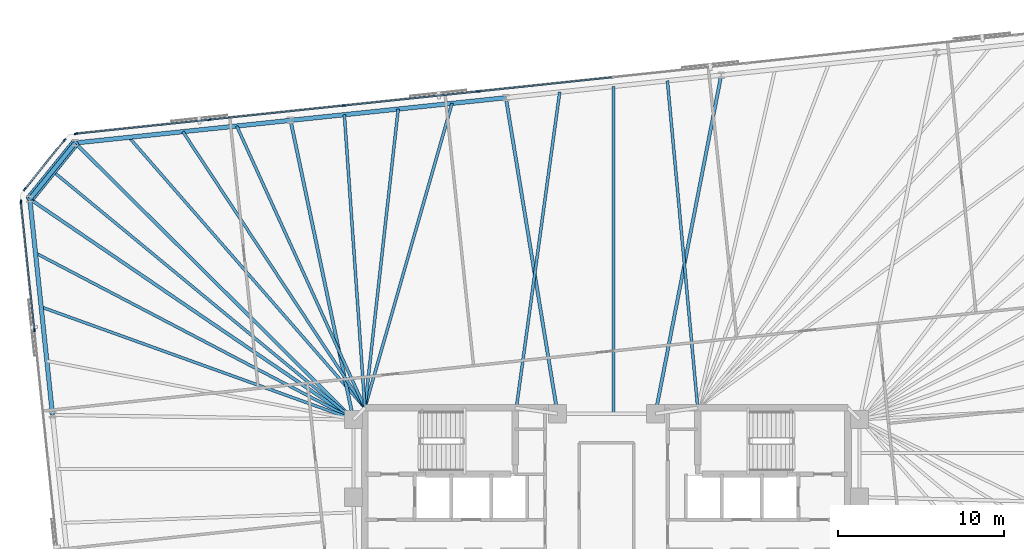
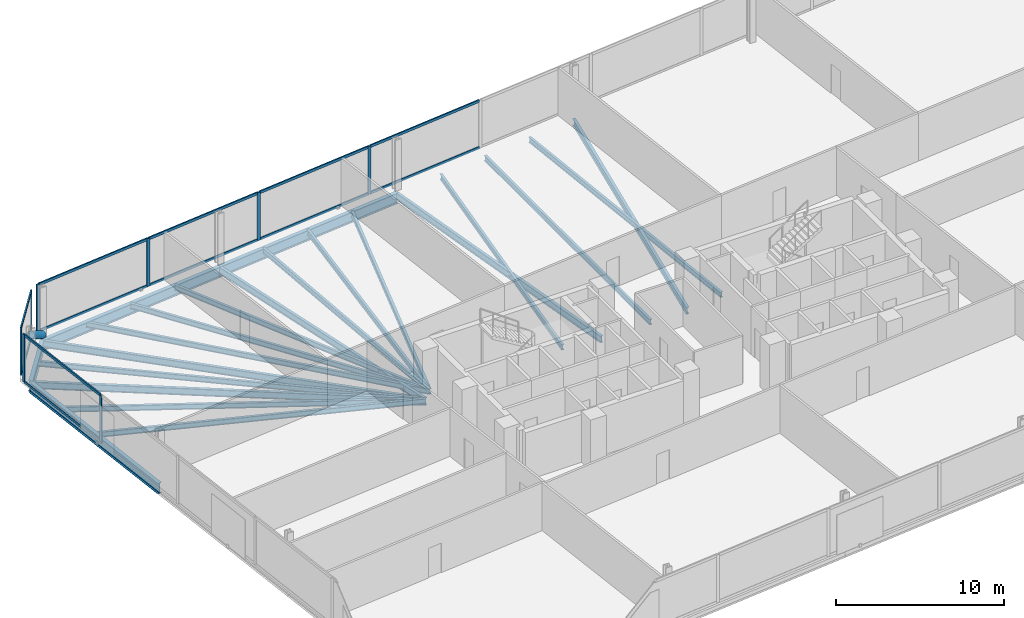
# One storey, part 9 of 18: 21 beams, 21 members, 3 elements without a shape of their own.
"""IFC4 building model written with IfcOpenShell, lengths in metres."""

from ifc_helpers import new_model, si_unit, direction, frame, origin, origin_2d, place, context, subcontext, project, spatial, rectangle, hollow_circle, i_section, extrude, material, material_profile, profile_set, type_object, element, aggregate, save


model = new_model("IFC4")

# Units and contexts
model_context = context("Model", 3, precision=1e-05, world=origin(), true_north=direction((0.0, 1.0)))
body_context = subcontext(model_context, "Body", "Model", "MODEL_VIEW")
ifc_project = project(units=[si_unit("LENGTHUNIT", "METRE"), si_unit("AREAUNIT", "SQUARE_METRE"), si_unit("VOLUMEUNIT", "CUBIC_METRE"), si_unit("PLANEANGLEUNIT", "RADIAN"), si_unit("MASSUNIT", "GRAM", prefix="KILO")], contexts=[model_context])

# Site, building, storey
site_placement = place(None, origin())
site = spatial("IfcSite", under=ifc_project, at=site_placement, CompositionType="ELEMENT")
building_placement = place(site_placement, origin())
building = spatial("IfcBuilding", under=site, at=building_placement, Name="Menara Jurai Vektor", CompositionType="ELEMENT")
storey_placement = place(building_placement, frame((0.0, 0.0, 94.800048828125)))
storey = spatial("IfcBuildingStorey", under=building, at=storey_placement, Name="L23", CompositionType="ELEMENT", Elevation=94.800048828125)

# Curtain wall, members
ifc_material_1 = material(Name="Anodised Pale Aluminium & Low-E Double Glazing", Category="aluminium")
curtain_wall_type = type_object("IfcCurtainWallType", Name="CW-BLK2", PredefinedType="NOTDEFINED", material=ifc_material_1)
curtain_wall_1_placement = place(storey_placement, origin())
curtain_wall_1 = element("IfcCurtainWall", 1, at=curtain_wall_1_placement, inside=storey, type_object=curtain_wall_type, Name="Unitised Curtain Wall L23 F05", PredefinedType="NOTDEFINED")
ifc_material_2 = material(Name="Anodised Pale Aluminium Mullion", Category="aluminium")
ifc_material_profile_1 = material_profile(ifc_material_2, rectangle(XDim=0.090087890625, YDim=0.219970703125, at=origin_2d()), Name="ALU MUL 90x220")
ifc_profile_set_1 = profile_set([ifc_material_profile_1], Name="Anodised Pale Aluminium Mullion")
member_type_1 = type_object("IfcMemberType", Name="CW-BLK2-MUL", PredefinedType="MULLION", material=ifc_profile_set_1)
member_1_placement = place(storey_placement, frame((-7.728271484375, 24.67138671875, 0.0), z_axis=(0.0, 0.0, 1.0), x_axis=(0.104528634935, -0.994521877325, 0.0)))
member_1 = element("IfcMember", 2, at=member_1_placement, type_object=member_type_1, Name="CW-02 mullion 6", PredefinedType="MULLION", context=body_context, shape_type="SweptSolid", body=[
    extrude(rectangle(XDim=0.090087890625, YDim=0.219970703125, at=origin_2d()), origin(), (0.0, 0.0, 1.0), 3.474853515625),
])
member_2_placement = place(storey_placement, frame((-15.826171875, 23.8203125, 0.0), z_axis=(0.0, 0.0, 1.0), x_axis=(0.104528634935, -0.994521877325, 0.0)))
member_2 = element("IfcMember", 3, at=member_2_placement, type_object=member_type_1, Name="CW-02 mullion 7", PredefinedType="MULLION", context=body_context, shape_type="SweptSolid", body=[
    extrude(rectangle(XDim=0.090087890625, YDim=0.219970703125, at=origin_2d()), origin(), (0.0, 0.0, 1.0), 3.474853515625),
])
member_3_placement = place(storey_placement, frame((-23.924072265625, 22.96923828125, 0.0), z_axis=(0.0, 0.0, 1.0), x_axis=(0.104528634935, -0.994521877325, 0.0)))
member_3 = element("IfcMember", 4, at=member_3_placement, type_object=member_type_1, Name="CW-02 mullion 8", PredefinedType="MULLION", context=body_context, shape_type="SweptSolid", body=[
    extrude(rectangle(XDim=0.090087890625, YDim=0.219970703125, at=origin_2d()), origin(), (0.0, 0.0, 1.0), 3.474853515625),
])
member_4_placement = place(storey_placement, frame((-31.97705078125, 22.122802734375, 0.0), z_axis=(0.0, 0.0, 1.0), x_axis=(0.104528634935, -0.994521877325, 0.0)))
member_4 = element("IfcMember", 5, at=member_4_placement, type_object=member_type_1, Name="CW-02 mullion 9", PredefinedType="MULLION", context=body_context, shape_type="SweptSolid", body=[
    extrude(rectangle(XDim=0.090087890625, YDim=0.219970703125, at=origin_2d()), origin(), (0.0, 0.0, 1.0), 3.474853515625),
])

curtain_wall_2_placement = place(storey_placement, origin())
curtain_wall_2 = element("IfcCurtainWall", 6, at=curtain_wall_2_placement, inside=storey, type_object=curtain_wall_type, Name="Unitised Curtain Wall L23 F06", PredefinedType="NOTDEFINED")
member_5_placement = place(storey_placement, frame((-32.667236328125, 21.748046875, 0.0), z_axis=(0.0, 0.0, 1.0), x_axis=(0.777129222223, -0.62934106172, 0.0)))
member_5 = element("IfcMember", 7, at=member_5_placement, type_object=member_type_1, Name="CW-02 mullion 1", PredefinedType="MULLION", context=body_context, shape_type="SweptSolid", body=[
    extrude(rectangle(XDim=0.090087890625, YDim=0.219970703125, at=origin_2d()), origin(), (0.0, 0.0, 1.0), 3.474853515625),
])
member_6_placement = place(storey_placement, frame((-35.0693359375, 18.781982421875, 0.0), z_axis=(0.0, 0.0, 1.0), x_axis=(0.777129222223, -0.62934106172, 0.0)))
member_6 = element("IfcMember", 8, at=member_6_placement, type_object=member_type_1, Name="CW-02 mullion 2", PredefinedType="MULLION", context=body_context, shape_type="SweptSolid", body=[
    extrude(rectangle(XDim=0.090087890625, YDim=0.219970703125, at=origin_2d()), origin(), (0.0, 0.0, 1.0), 3.474853515625),
])

curtain_wall_3_placement = place(storey_placement, origin())
curtain_wall_3 = element("IfcCurtainWall", 9, at=curtain_wall_3_placement, inside=storey, type_object=curtain_wall_type, Name="Unitised Curtain Wall L23 F07", PredefinedType="NOTDEFINED")
member_7_placement = place(storey_placement, frame((-35.29248046875, 18.029052734375, 0.0), z_axis=(0.0, 0.0, 1.0), x_axis=(0.99452177832, 0.104529576902, 0.0)))
member_7 = element("IfcMember", 10, at=member_7_placement, type_object=member_type_1, Name="CW-02 mullion 1", PredefinedType="MULLION", context=body_context, shape_type="SweptSolid", body=[
    extrude(rectangle(XDim=0.090087890625, YDim=0.219970703125, at=origin_2d()), origin(), (0.0, 0.0, 1.0), 3.474853515625),
])
member_8_placement = place(storey_placement, frame((-34.478759765625, 10.28857421875, 0.0), z_axis=(0.0, 0.0, 1.0), x_axis=(0.99452177832, 0.104529576902, 0.0)))
member_8 = element("IfcMember", 11, at=member_8_placement, type_object=member_type_1, Name="CW-02 mullion 2", PredefinedType="MULLION", context=body_context, shape_type="SweptSolid", body=[
    extrude(rectangle(XDim=0.090087890625, YDim=0.219970703125, at=origin_2d()), origin(), (0.0, 0.0, 1.0), 3.474853515625),
])

# Member
ifc_material_3 = material(Name="Anodised Pale Aluminium Transom", Category="aluminium")
ifc_material_profile_2 = material_profile(ifc_material_3, rectangle(XDim=0.090087890625, YDim=0.18505859375, at=origin_2d()), Name="ALU TRN 90x185")
ifc_profile_set_2 = profile_set([ifc_material_profile_2], Name="Anodised Pale Aluminium Transom")
member_type_2 = type_object("IfcMemberType", Name="CW-BLK2-TRN", PredefinedType="USERDEFINED", material=ifc_profile_set_2)
member_9_placement = place(storey_placement, frame((0.324951171875, 25.517822265625, 0.044921875), z_axis=(-0.99452387809, -0.104509597213, 0.0), x_axis=(0.104509597213, -0.99452387809, 0.0)))
member_9 = element("IfcMember", 12, at=member_9_placement, type_object=member_type_2, Name="CW-02 transom 5.1", ObjectType="TRANSOM", PredefinedType="USERDEFINED", context=body_context, shape_type="SweptSolid", body=[
    extrude(rectangle(XDim=0.090087890625, YDim=0.18505859375, at=origin_2d()), origin(), (0.0, 0.0, 1.0), 8.052490234375),
])

member_10_placement = place(storey_placement, frame((0.324951171875, 25.517822265625, 3.429931640625), z_axis=(-0.99452387809, -0.104509597213, 0.0), x_axis=(0.104509597213, -0.99452387809, 0.0)))
member_10 = element("IfcMember", 13, at=member_10_placement, type_object=member_type_2, Name="CW-02 transom 5.2", ObjectType="TRANSOM", PredefinedType="USERDEFINED", context=body_context, shape_type="SweptSolid", body=[
    extrude(rectangle(XDim=0.090087890625, YDim=0.18505859375, at=origin_2d()), origin(), (0.0, 0.0, 1.0), 8.052490234375),
])

member_11_placement = place(storey_placement, frame((-7.77294921875, 24.666748046875, 0.044921875), z_axis=(-0.994520726373, -0.10453958492, 0.0), x_axis=(0.10453958492, -0.994520726373, 0.0)))
member_11 = element("IfcMember", 14, at=member_11_placement, type_object=member_type_2, Name="CW-02 transom 6.1", ObjectType="TRANSOM", PredefinedType="USERDEFINED", context=body_context, shape_type="SweptSolid", body=[
    extrude(rectangle(XDim=0.090087890625, YDim=0.18505859375, at=origin_2d()), origin(), (0.0, 0.0, 1.0), 8.052490234375),
])

member_12_placement = place(storey_placement, frame((-7.77294921875, 24.666748046875, 3.429931640625), z_axis=(-0.994520726373, -0.10453958492, 0.0), x_axis=(0.10453958492, -0.994520726373, 0.0)))
member_12 = element("IfcMember", 15, at=member_12_placement, type_object=member_type_2, Name="CW-02 transom 6.2", ObjectType="TRANSOM", PredefinedType="USERDEFINED", context=body_context, shape_type="SweptSolid", body=[
    extrude(rectangle(XDim=0.090087890625, YDim=0.18505859375, at=origin_2d()), origin(), (0.0, 0.0, 1.0), 8.052490234375),
])

member_13_placement = place(storey_placement, frame((-15.870849609375, 23.815673828125, 0.044921875), z_axis=(-0.994520726373, -0.10453958492, 0.0), x_axis=(0.10453958492, -0.994520726373, 0.0)))
member_13 = element("IfcMember", 16, at=member_13_placement, type_object=member_type_2, Name="CW-02 transom 7.1", ObjectType="TRANSOM", PredefinedType="USERDEFINED", context=body_context, shape_type="SweptSolid", body=[
    extrude(rectangle(XDim=0.090087890625, YDim=0.18505859375, at=origin_2d()), origin(), (0.0, 0.0, 1.0), 8.052490234375),
])

member_14_placement = place(storey_placement, frame((-15.870849609375, 23.815673828125, 3.429931640625), z_axis=(-0.994520726373, -0.10453958492, 0.0), x_axis=(0.10453958492, -0.994520726373, 0.0)))
member_14 = element("IfcMember", 17, at=member_14_placement, type_object=member_type_2, Name="CW-02 transom 7.2", ObjectType="TRANSOM", PredefinedType="USERDEFINED", context=body_context, shape_type="SweptSolid", body=[
    extrude(rectangle(XDim=0.090087890625, YDim=0.18505859375, at=origin_2d()), origin(), (0.0, 0.0, 1.0), 8.052490234375),
])

member_15_placement = place(storey_placement, frame((-23.96875, 22.964599609375, 0.044921875), z_axis=(-0.994519977808, -0.104546706027, 0.0), x_axis=(0.104546706027, -0.994519977808, 0.0)))
member_15 = element("IfcMember", 18, at=member_15_placement, type_object=member_type_2, Name="CW-02 transom 8.1", ObjectType="TRANSOM", PredefinedType="USERDEFINED", context=body_context, shape_type="SweptSolid", body=[
    extrude(rectangle(XDim=0.090087890625, YDim=0.18505859375, at=origin_2d()), origin(), (0.0, 0.0, 1.0), 8.007568359375),
])

member_16_placement = place(storey_placement, frame((-23.96875, 22.964599609375, 3.429931640625), z_axis=(-0.994519977808, -0.104546706027, 0.0), x_axis=(0.104546706027, -0.994519977808, 0.0)))
member_16 = element("IfcMember", 19, at=member_16_placement, type_object=member_type_2, Name="CW-02 transom 8.2", ObjectType="TRANSOM", PredefinedType="USERDEFINED", context=body_context, shape_type="SweptSolid", body=[
    extrude(rectangle(XDim=0.090087890625, YDim=0.18505859375, at=origin_2d()), origin(), (0.0, 0.0, 1.0), 8.007568359375),
])

aggregate(curtain_wall_1, [member_1, member_2, member_3, member_4, member_9, member_10, member_11, member_12, member_13, member_14, member_15, member_16])

member_17_placement = place(storey_placement, frame((-32.695556640625, 21.713134765625, 0.044921875), z_axis=(-0.6293414396, -0.777128916205, 0.0), x_axis=(0.777128916205, -0.6293414396, 0.0)))
member_17 = element("IfcMember", 20, at=member_17_placement, type_object=member_type_2, Name="CW-02 transom 1.1", ObjectType="TRANSOM", PredefinedType="USERDEFINED", context=body_context, shape_type="SweptSolid", body=[
    extrude(rectangle(XDim=0.090087890625, YDim=0.18505859375, at=origin_2d()), origin(), (0.0, 0.0, 1.0), 3.726806640625),
])

member_18_placement = place(storey_placement, frame((-32.695556640625, 21.713134765625, 3.429931640625), z_axis=(-0.6293414396, -0.777128916205, 0.0), x_axis=(0.777128916205, -0.6293414396, 0.0)))
member_18 = element("IfcMember", 21, at=member_18_placement, type_object=member_type_2, Name="CW-02 transom 1.2", ObjectType="TRANSOM", PredefinedType="USERDEFINED", context=body_context, shape_type="SweptSolid", body=[
    extrude(rectangle(XDim=0.090087890625, YDim=0.18505859375, at=origin_2d()), origin(), (0.0, 0.0, 1.0), 3.726806640625),
])

aggregate(curtain_wall_2, [member_5, member_6, member_17, member_18])

member_19_placement = place(storey_placement, frame((-35.28759765625, 17.984130859375, 0.044921875), z_axis=(0.104504716935, -0.994524390922, 0.0), x_axis=(0.994524390922, 0.104504716935, 0.0)))
member_19 = element("IfcMember", 22, at=member_19_placement, type_object=member_type_2, Name="CW-02 transom 1.1", ObjectType="TRANSOM", PredefinedType="USERDEFINED", context=body_context, shape_type="SweptSolid", body=[
    extrude(rectangle(XDim=0.090087890625, YDim=0.18505859375, at=origin_2d()), origin(), (0.0, 0.0, 1.0), 7.693115234375),
])

member_20_placement = place(storey_placement, frame((-35.28759765625, 17.984130859375, 3.429931640625), z_axis=(0.104504716935, -0.994524390922, 0.0), x_axis=(0.994524390922, 0.104504716935, 0.0)))
member_20 = element("IfcMember", 23, at=member_20_placement, type_object=member_type_2, Name="CW-02 transom 1.2", ObjectType="TRANSOM", PredefinedType="USERDEFINED", context=body_context, shape_type="SweptSolid", body=[
    extrude(rectangle(XDim=0.090087890625, YDim=0.18505859375, at=origin_2d()), origin(), (0.0, 0.0, 1.0), 7.693115234375),
])

aggregate(curtain_wall_3, [member_7, member_8, member_19, member_20])

# Beams
ifc_material_4 = material(Name="Steel S355", Category="steel")
ifc_material_profile_3 = material_profile(ifc_material_4, i_section(OverallWidth=0.199951171875, OverallDepth=0.5, WebThickness=0.011962890625, FlangeThickness=0.02001953125, at=origin_2d()), Name="PG 500x200x96")
ifc_profile_set_3 = profile_set([ifc_material_profile_3], Name="Steel S355")
beam_type_1 = type_object("IfcBeamType", Name="STR-BM-500", PredefinedType="BEAM", material=ifc_profile_set_3)
beam_1_placement = place(storey_placement, frame((6.9169921875, 25.65771484375, -0.47509765625), z_axis=(-0.190817481746, -0.981625533826, 0.0), x_axis=(0.981625533826, -0.190817481746, 0.0)))
element("IfcBeam", 24, at=beam_1_placement, inside=storey, type_object=beam_type_1, Name="Radial Floor Girder L23-N3", PredefinedType="BEAM", context=body_context, shape_type="SweptSolid", body=[
    extrude(i_section(OverallWidth=0.199951171875, OverallDepth=0.5, WebThickness=0.011962890625, FlangeThickness=0.02001953125, at=origin_2d()), origin(), (0.0, 0.0, 1.0), 20.789794921875),
])
beam_2_placement = place(storey_placement, frame((-6.0625, 24.29345703125, -0.47509765625), z_axis=(0.161304178177, -0.986904738109, 0.0), x_axis=(0.986904738109, 0.161304178177, 0.0)))
element("IfcBeam", 25, at=beam_2_placement, inside=storey, type_object=beam_type_1, Name="Radial Floor Girder L23-N4", PredefinedType="BEAM", context=body_context, shape_type="SweptSolid", body=[
    extrude(i_section(OverallWidth=0.199951171875, OverallDepth=0.5, WebThickness=0.011962890625, FlangeThickness=0.02001953125, at=origin_2d()), origin(), (0.0, 0.0, 1.0), 19.296142578125),
])
beam_3_placement = place(storey_placement, frame((-19.042236328125, 22.92919921875, -0.47509765625), z_axis=(0.205833499861, -0.978587027471, 0.0), x_axis=(0.978587027471, 0.205833499861, 0.0)))
element("IfcBeam", 26, at=beam_3_placement, inside=storey, type_object=beam_type_1, Name="Radial Floor Girder L23-N5", PredefinedType="BEAM", context=body_context, shape_type="SweptSolid", body=[
    extrude(i_section(OverallWidth=0.199951171875, OverallDepth=0.5, WebThickness=0.011962890625, FlangeThickness=0.02001953125, at=origin_2d()), origin(), (0.0, 0.0, 1.0), 18.423828125),
])
beam_4_placement = place(storey_placement, frame((-32.02197265625, 21.565185546875, -0.47509765625), z_axis=(0.709359361276, -0.704847002242, 0.0), x_axis=(0.704847002242, 0.709359361276, 0.0)))
element("IfcBeam", 27, at=beam_4_placement, inside=storey, type_object=beam_type_1, Name="Radial Floor Girder L23-N6", PredefinedType="BEAM", context=body_context, shape_type="SweptSolid", body=[
    extrude(i_section(OverallWidth=0.199951171875, OverallDepth=0.5, WebThickness=0.011962890625, FlangeThickness=0.02001953125, at=origin_2d()), origin(), (0.0, 0.0, 1.0), 23.643798828125),
])
beam_5_placement = place(storey_placement, frame((-34.756103515625, 18.188720703125, -0.47509765625), z_axis=(0.826440214756, -0.563024485643, 0.0), x_axis=(0.563024485643, 0.826440214756, 0.0)))
element("IfcBeam", 28, at=beam_5_placement, inside=storey, type_object=beam_type_1, Name="Radial Floor Girder L23-W1", PredefinedType="BEAM", context=body_context, shape_type="SweptSolid", body=[
    extrude(i_section(OverallWidth=0.199951171875, OverallDepth=0.5, WebThickness=0.011962890625, FlangeThickness=0.02001953125, at=origin_2d()), origin(), (0.0, 0.0, 1.0), 23.6025390625),
])

# Member
ifc_material_5 = material(Name="Steel S460", Category="steel")
ifc_material_profile_4 = material_profile(ifc_material_5, hollow_circle(Radius=0.25390625, WallThickness=0.02001953125, at=origin_2d()), Name="CHS 508x20")
ifc_profile_set_4 = profile_set([ifc_material_profile_4], Name="Steel S460")
member_type_3 = type_object("IfcMemberType", Name="STR-BR-508", PredefinedType="BRACE", material=ifc_profile_set_4)
member_21_placement = place(storey_placement, frame((-32.02197265625, 21.565185546875, 0.14990234375), z_axis=(-0.519237856236, -0.641223283484, 0.564999778203), x_axis=(0.777154568396, -0.629309762217, 0.0)))
element("IfcMember", 29, at=member_21_placement, inside=storey, type_object=member_type_3, Name="Exoskeleton Corner Brace L23-3", PredefinedType="BRACE", context=body_context, shape_type="SweptSolid", body=[
    extrude(hollow_circle(Radius=0.25390625, WallThickness=0.02001953125, at=origin_2d()), origin(), (0.0, 0.0, 1.0), 5.265625),
])

# Beams
ifc_material_profile_5 = material_profile(ifc_material_4, i_section(OverallWidth=0.175048828125, OverallDepth=0.3798828125, WebThickness=0.010009765625, FlangeThickness=0.014892578125, at=origin_2d()), Name="PG 380x175x58")
ifc_profile_set_5 = profile_set([ifc_material_profile_5], Name="Steel S355")
beam_type_2 = type_object("IfcBeamType", Name="STR-JS-380", PredefinedType="JOIST", material=ifc_profile_set_5)
beam_6_placement = place(storey_placement, frame((3.672119140625, 25.316650390625, -0.4150390625), z_axis=(0.092312082085, -0.995730123829, 0.0), x_axis=(0.995730123829, 0.092312082085, 0.0)))
element("IfcBeam", 30, at=beam_6_placement, inside=storey, type_object=beam_type_2, Name="Radial Secondary Floor Joist L23-JS26", PredefinedType="JOIST", context=body_context, shape_type="SweptSolid", body=[
    extrude(i_section(OverallWidth=0.175048828125, OverallDepth=0.3798828125, WebThickness=0.010009765625, FlangeThickness=0.014892578125, at=origin_2d()), origin(), (0.0, 0.0, 1.0), 19.801025390625),
])
beam_7_placement = place(storey_placement, frame((0.42724609375, 24.9755859375, -0.4150390625), z_axis=(0.0, -1.0, 0.0), x_axis=(1.0, 0.0, 0.0)))
element("IfcBeam", 31, at=beam_7_placement, inside=storey, type_object=beam_type_2, Name="Radial Secondary Floor Joist L23-JS27", PredefinedType="JOIST", context=body_context, shape_type="SweptSolid", body=[
    extrude(i_section(OverallWidth=0.175048828125, OverallDepth=0.3798828125, WebThickness=0.010009765625, FlangeThickness=0.014892578125, at=origin_2d()), origin(), (0.0, 0.0, 1.0), 19.7255859375),
])
beam_8_placement = place(storey_placement, frame((-2.817626953125, 24.634521484375, -0.4150390625), z_axis=(-0.135987109192, -0.990710606652, 0.0), x_axis=(0.990710606652, -0.135987109192, 0.0)))
element("IfcBeam", 32, at=beam_8_placement, inside=storey, type_object=beam_type_2, Name="Radial Secondary Floor Joist L23-JS28", PredefinedType="JOIST", context=body_context, shape_type="SweptSolid", body=[
    extrude(i_section(OverallWidth=0.175048828125, OverallDepth=0.3798828125, WebThickness=0.010009765625, FlangeThickness=0.014892578125, at=origin_2d()), origin(), (0.0, 0.0, 1.0), 19.222412109375),
])
beam_9_placement = place(storey_placement, frame((-9.3076171875, 23.952392578125, -0.4150390625), z_axis=(-0.275153530359, -0.961400298903, 0.0), x_axis=(0.961400298903, -0.275153530359, 0.0)))
element("IfcBeam", 33, at=beam_9_placement, inside=storey, type_object=beam_type_2, Name="Radial Secondary Floor Joist L23-JS29", PredefinedType="JOIST", context=body_context, shape_type="SweptSolid", body=[
    extrude(i_section(OverallWidth=0.175048828125, OverallDepth=0.3798828125, WebThickness=0.010009765625, FlangeThickness=0.014892578125, at=origin_2d()), origin(), (0.0, 0.0, 1.0), 19.089111328125),
])
beam_10_placement = place(storey_placement, frame((-12.552490234375, 23.611328125, -0.4150390625), z_axis=(-0.110776028048, -0.993845396231, 0.0), x_axis=(0.993845396231, -0.110776028048, 0.0)))
element("IfcBeam", 34, at=beam_10_placement, inside=storey, type_object=beam_type_2, Name="Radial Secondary Floor Joist L23-JS30", PredefinedType="JOIST", context=body_context, shape_type="SweptSolid", body=[
    extrude(i_section(OverallWidth=0.175048828125, OverallDepth=0.3798828125, WebThickness=0.010009765625, FlangeThickness=0.014892578125, at=origin_2d()), origin(), (0.0, 0.0, 1.0), 18.122802734375),
])
beam_11_placement = place(storey_placement, frame((-15.79736328125, 23.2705078125, -0.4150390625), z_axis=(0.069850249402, -0.997557488398, 0.0), x_axis=(0.997557488398, 0.069850249402, 0.0)))
element("IfcBeam", 35, at=beam_11_placement, inside=storey, type_object=beam_type_2, Name="Radial Secondary Floor Joist L23-JS31", PredefinedType="JOIST", context=body_context, shape_type="SweptSolid", body=[
    extrude(i_section(OverallWidth=0.175048828125, OverallDepth=0.3798828125, WebThickness=0.010009765625, FlangeThickness=0.014892578125, at=origin_2d()), origin(), (0.0, 0.0, 1.0), 17.713623046875),
])
beam_12_placement = place(storey_placement, frame((-22.287109375, 22.58837890625, -0.4150390625), z_axis=(0.414029617818, -0.910263409992, 0.0), x_axis=(0.910263409992, 0.414029617818, 0.0)))
element("IfcBeam", 36, at=beam_12_placement, inside=storey, type_object=beam_type_2, Name="Radial Secondary Floor Joist L23-JS32", PredefinedType="JOIST", context=body_context, shape_type="SweptSolid", body=[
    extrude(i_section(OverallWidth=0.175048828125, OverallDepth=0.3798828125, WebThickness=0.010009765625, FlangeThickness=0.014892578125, at=origin_2d()), origin(), (0.0, 0.0, 1.0), 18.6630859375),
])
beam_13_placement = place(storey_placement, frame((-25.531982421875, 22.247314453125, -0.4150390625), z_axis=(0.550309675793, -0.834960634239, 0.0), x_axis=(0.834960634239, 0.550309675793, 0.0)))
element("IfcBeam", 37, at=beam_13_placement, inside=storey, type_object=beam_type_2, Name="Radial Secondary Floor Joist L23-JS33", PredefinedType="JOIST", context=body_context, shape_type="SweptSolid", body=[
    extrude(i_section(OverallWidth=0.175048828125, OverallDepth=0.3798828125, WebThickness=0.010009765625, FlangeThickness=0.014892578125, at=origin_2d()), origin(), (0.0, 0.0, 1.0), 19.937744140625),
])
beam_14_placement = place(storey_placement, frame((-28.777099609375, 21.90625, -0.4150390625), z_axis=(0.657172520545, -0.753740192798, 0.0), x_axis=(0.753740192798, 0.657172520545, 0.0)))
element("IfcBeam", 38, at=beam_14_placement, inside=storey, type_object=beam_type_2, Name="Radial Secondary Floor Joist L23-JS34", PredefinedType="JOIST", context=body_context, shape_type="SweptSolid", body=[
    extrude(i_section(OverallWidth=0.175048828125, OverallDepth=0.3798828125, WebThickness=0.010009765625, FlangeThickness=0.014892578125, at=origin_2d()), origin(), (0.0, 0.0, 1.0), 21.633544921875),
])
beam_15_placement = place(storey_placement, frame((-33.388916015625, 19.876953125, -0.4150390625), z_axis=(0.771113505069, -0.636697700876, 0.0), x_axis=(0.636697700876, 0.771113505069, 0.0)))
element("IfcBeam", 39, at=beam_15_placement, inside=storey, type_object=beam_type_2, Name="Radial Secondary Floor Joist L23-JS35", PredefinedType="JOIST", context=body_context, shape_type="SweptSolid", body=[
    extrude(i_section(OverallWidth=0.175048828125, OverallDepth=0.3798828125, WebThickness=0.010009765625, FlangeThickness=0.014892578125, at=origin_2d()), origin(), (0.0, 0.0, 1.0), 23.52294921875),
])
beam_16_placement = place(storey_placement, frame((-34.414306640625, 14.935302734375, -0.4150390625), z_axis=(0.885889402471, -0.463896504179, 0.0), x_axis=(0.463896504179, 0.885889402471, 0.0)))
element("IfcBeam", 40, at=beam_16_placement, inside=storey, type_object=beam_type_2, Name="Radial Secondary Floor Joist L23-JS36", PredefinedType="JOIST", context=body_context, shape_type="SweptSolid", body=[
    extrude(i_section(OverallWidth=0.175048828125, OverallDepth=0.3798828125, WebThickness=0.010009765625, FlangeThickness=0.014892578125, at=origin_2d()), origin(), (0.0, 0.0, 1.0), 21.6328125),
])
beam_17_placement = place(storey_placement, frame((-34.072265625, 11.681884765625, -0.4150390625), z_axis=(0.940792327273, -0.338983475917, 0.0), x_axis=(0.338983475917, 0.940792327273, 0.0)))
element("IfcBeam", 41, at=beam_17_placement, inside=storey, type_object=beam_type_2, Name="Radial Secondary Floor Joist L23-JS37", PredefinedType="JOIST", context=body_context, shape_type="SweptSolid", body=[
    extrude(i_section(OverallWidth=0.175048828125, OverallDepth=0.3798828125, WebThickness=0.010009765625, FlangeThickness=0.014892578125, at=origin_2d()), origin(), (0.0, 0.0, 1.0), 20.0068359375),
])
ifc_material_profile_6 = material_profile(ifc_material_5, i_section(OverallWidth=0.26806640625, OverallDepth=0.77001953125, WebThickness=0.01611328125, FlangeThickness=0.02490234375, FilletRadius=0.01708984375, at=origin_2d()), Name="UKB 762x267x197")
ifc_profile_set_6 = profile_set([ifc_material_profile_6], Name="Steel S460")
beam_type_3 = type_object("IfcBeamType", Name="STR-SP-762", PredefinedType="SPANDREL", material=ifc_profile_set_6)
for number, where, z_axis, x_axis, name in (
    (42, (-6.0625, 24.29345703125, -0.610107421875), (-0.994521636083, -0.104530930169, 0.0), (0.104530930169, -0.994521636083, 0.0), "Exoskeleton Spandrel Beam L23-14"),
    (43, (-19.042236328125, 22.92919921875, -0.610107421875), (-0.994523580592, -0.104512428191, 0.0), (0.104512428191, -0.994523580592, 0.0), "Exoskeleton Spandrel Beam L23-15"),
):
    element("IfcBeam", number, at=place(storey_placement, frame(where, z_axis=z_axis, x_axis=x_axis)), inside=storey, type_object=beam_type_3, Name=name, PredefinedType="SPANDREL", context=body_context, shape_type="SweptSolid", body=[
        extrude(i_section(OverallWidth=0.26806640625, OverallDepth=0.77001953125, WebThickness=0.01611328125, FlangeThickness=0.02490234375, FilletRadius=0.01708984375, at=origin_2d()), origin(), (0.0, 0.0, 1.0), 13.05126953125),
    ])
beam_18_placement = place(storey_placement, frame((-32.02197265625, 21.565185546875, -0.610107421875), z_axis=(-0.629309762217, -0.777154568396, 0.0), x_axis=(0.777154568396, -0.629309762217, 0.0)))
element("IfcBeam", 44, at=beam_18_placement, inside=storey, type_object=beam_type_3, Name="Exoskeleton Spandrel Beam L23-16", PredefinedType="SPANDREL", context=body_context, shape_type="SweptSolid", body=[
    extrude(i_section(OverallWidth=0.26806640625, OverallDepth=0.77001953125, WebThickness=0.01611328125, FlangeThickness=0.02490234375, FilletRadius=0.01708984375, at=origin_2d()), origin(), (0.0, 0.0, 1.0), 4.3447265625),
])
beam_19_placement = place(storey_placement, frame((-34.756103515625, 18.188720703125, -0.610107421875), z_axis=(0.104538130097, -0.994520879296, 0.0), x_axis=(0.994520879296, 0.104538130097, 0.0)))
element("IfcBeam", 45, at=beam_19_placement, inside=storey, type_object=beam_type_3, Name="Exoskeleton Spandrel Beam L23-17", PredefinedType="SPANDREL", context=body_context, shape_type="SweptSolid", body=[
    extrude(i_section(OverallWidth=0.26806640625, OverallDepth=0.77001953125, WebThickness=0.01611328125, FlangeThickness=0.02490234375, FilletRadius=0.01708984375, at=origin_2d()), origin(), (0.0, 0.0, 1.0), 13.08544921875),
])

save(model, "model.ifc")
